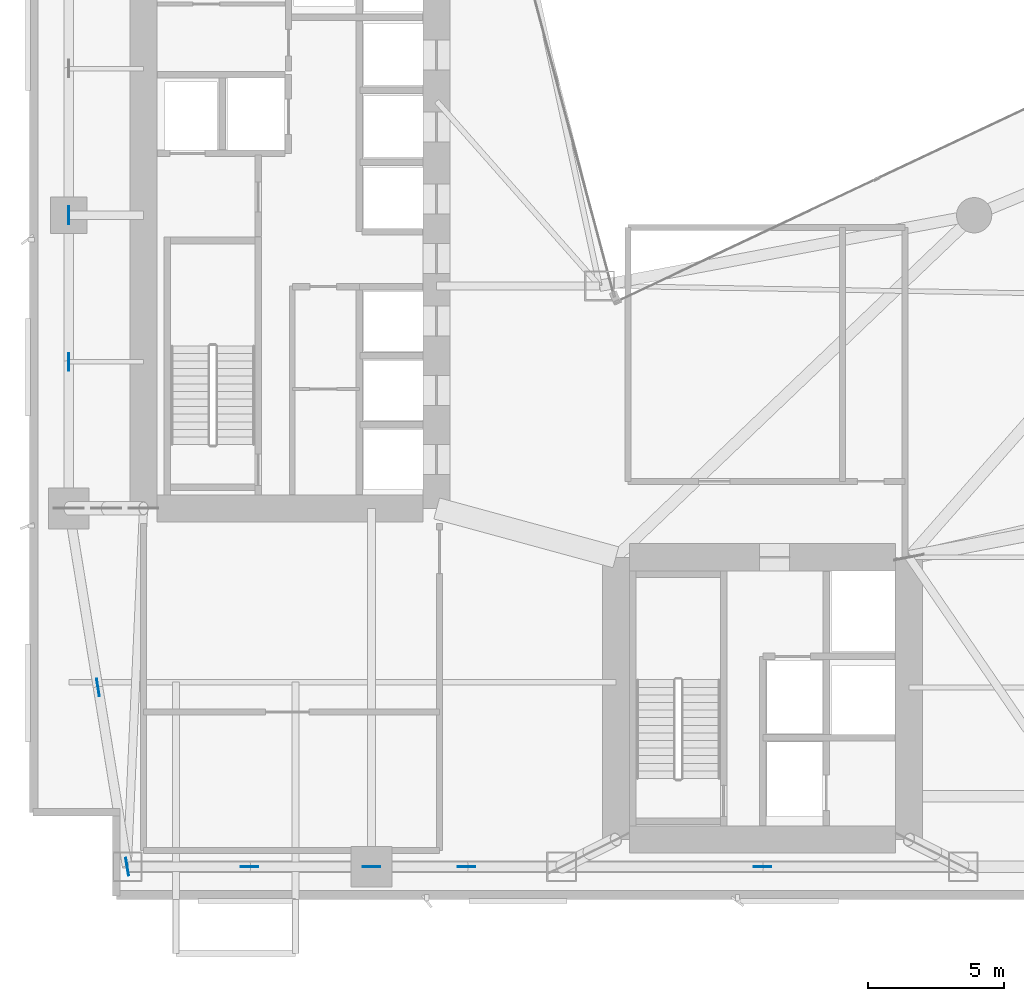
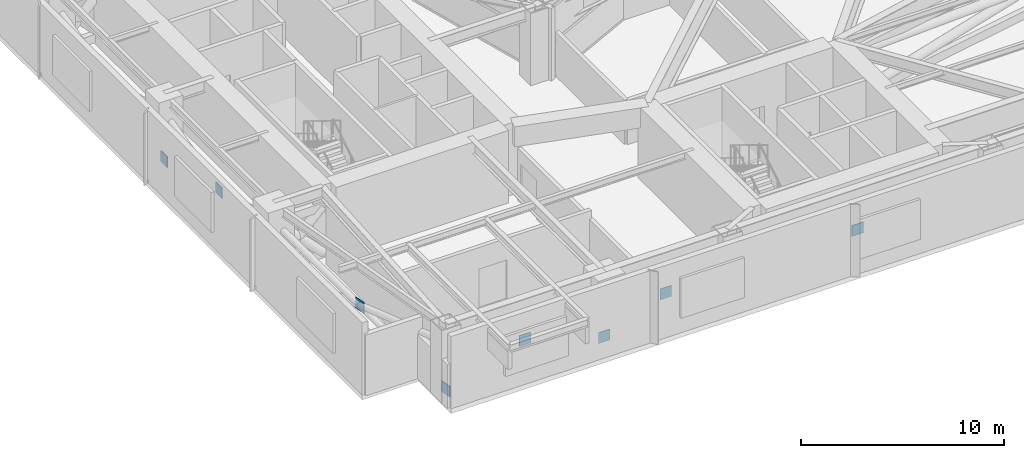
# One storey, part 11 of 18: 8 plates.
"""IFC4 building model written with IfcOpenShell, lengths in metres."""

from ifc_helpers import new_model, si_unit, direction, frame, origin, origin_2d, place, context, subcontext, project, spatial, rectangle, extrude, material, layer, layer_set, type_object, element, save


model = new_model("IFC4")

# Units and contexts
model_context = context("Model", 3, precision=1e-05, world=origin(), true_north=direction((0.0, 1.0)))
body_context = subcontext(model_context, "Body", "Model", "MODEL_VIEW")
ifc_project = project(units=[si_unit("LENGTHUNIT", "METRE"), si_unit("AREAUNIT", "SQUARE_METRE"), si_unit("VOLUMEUNIT", "CUBIC_METRE"), si_unit("PLANEANGLEUNIT", "RADIAN"), si_unit("MASSUNIT", "GRAM", prefix="KILO")], contexts=[model_context])

# Site, building, storey
site_placement = place(None, origin())
site = spatial("IfcSite", under=ifc_project, at=site_placement, CompositionType="ELEMENT")
building_placement = place(site_placement, origin())
building = spatial("IfcBuilding", under=site, at=building_placement, Name="Calvorn Quay Hotel", CompositionType="ELEMENT")
storey_placement = place(building_placement, frame((0.0, 0.0, 92.60009765625)))
storey = spatial("IfcBuildingStorey", under=building, at=storey_placement, Name="L22", CompositionType="ELEMENT", Elevation=92.60009765625)

# Plates
ifc_material = material(Name="Steel Q390GJC", Category="steel")
ifc_layer = layer(ifc_material, 0.035888671875)
ifc_layer_set = layer_set([ifc_layer], Name="PLT-GUSSET-36")
plate_type = type_object("IfcPlateType", Name="PLT-GUSSET-36", PredefinedType="SHEET", material=ifc_layer_set)
for number, where, z_axis, x_axis, name in (
    (1, (3.60009765625, 3.60009765625, 0.02490234375), (0.0, 0.0, 1.0), (-0.160742565604, 0.98699636656, 0.0), "Belt Truss Gusset Plate L22-BW1-A"),
    (2, (2.52490234375, 10.199951171875, 1.425048828125), (0.0, 0.0, 1.0), (-0.160742565604, 0.98699636656, 0.0), "Belt Truss Gusset Plate L22-BW1-X"),
    (3, (1.449951171875, 22.199951171875, 1.425048828125), (0.0, 0.0, 1.0), (0.0, 1.0, 0.0), "Belt Truss Gusset Plate L22-BW2-X"),
    (4, (1.449951171875, 27.60009765625, 0.02490234375), (0.0, 0.0, 1.0), (0.0, 1.0, 0.0), "Belt Truss Gusset Plate L22-BW2-B"),
    (5, (8.10009765625, 3.60009765625, 1.425048828125), (0.0, 0.0, 1.0), (1.0, 0.0, 0.0), "Belt Truss Gusset Plate L22-BS1-X"),
    (6, (12.60009765625, 3.60009765625, 0.02490234375), (0.0, 0.0, 1.0), (1.0, 0.0, 0.0), "Belt Truss Gusset Plate L22-BS1-B"),
    (7, (16.10009765625, 3.60009765625, 1.425048828125), (0.0, 0.0, 1.0), (1.0, 0.0, 0.0), "Belt Truss Gusset Plate L22-BS2-X"),
    (8, (27.0, 3.60009765625, 1.425048828125), (0.0, 0.0, 1.0), (1.0, 0.0, 0.0), "Belt Truss Gusset Plate L22-BS3-X"),
):
    element("IfcPlate", number, at=place(storey_placement, frame(where, z_axis=z_axis, x_axis=x_axis)), inside=storey, type_object=plate_type, Name=name, PredefinedType="SHEET", context=body_context, shape_type="SweptSolid", body=[
        extrude(rectangle(XDim=0.64990234375, YDim=0.035888671875, at=origin_2d()), origin(), (0.0, 0.0, 1.0), 0.64990234375),
    ])

save(model, "model.ifc")
